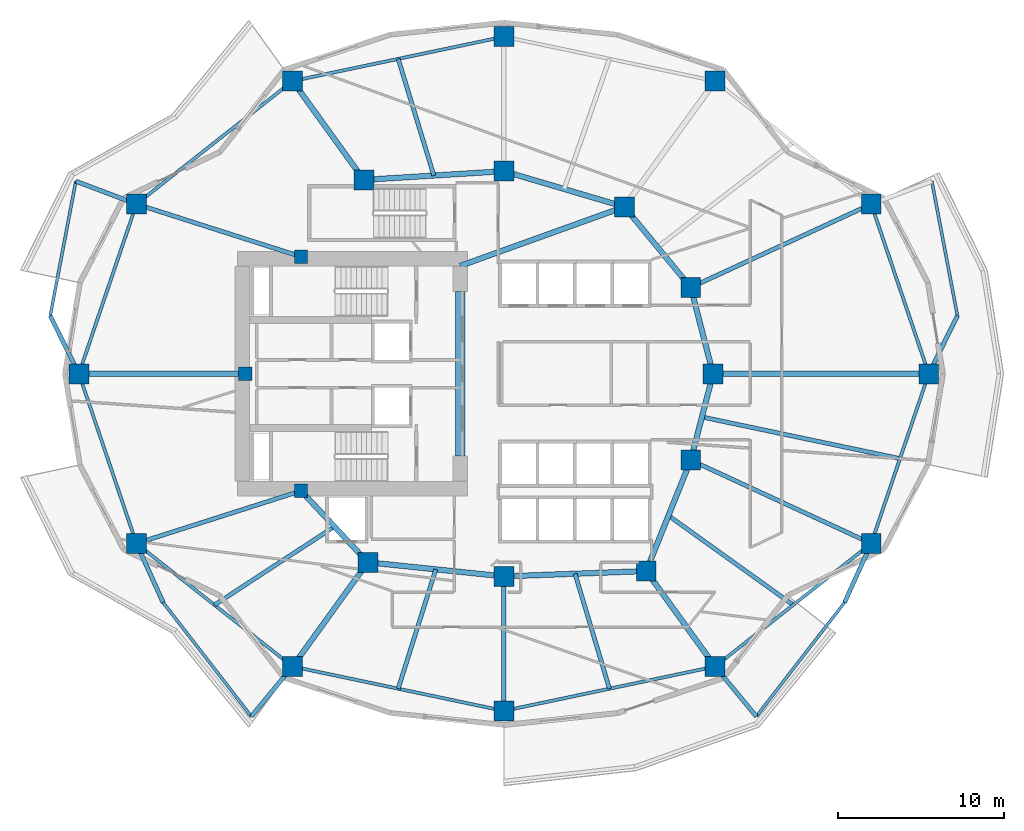
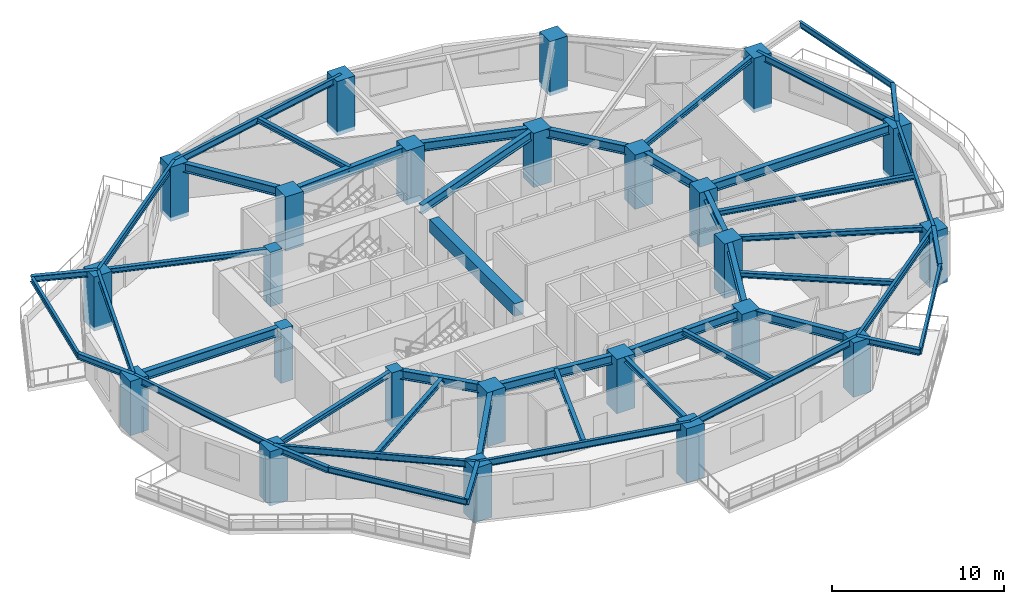
# One storey, part 1 of 11: 48 beams, 24 columns.
"""IFC4 building model written with IfcOpenShell, lengths in metres."""

import ifcopenshell
import ifcopenshell.guid

model = None  # the IFC model being written
_history = None  # IfcOwnerHistory: only IFC2X3 demands one
_inside = {}  # id of a spatial element -> (the spatial element, [elements in it])
_under = {}  # id of a project, library or spatial element -> (it, [spatial elements below it])
_declared = {}  # id of a project -> (the project, [libraries it declares])
_typed = {}  # id of a type object -> (the type object, [elements of that type])
_made_of = {}  # id of a material, layer set ... -> (it, [elements and type objects made of it])


def new_model(schema):
    """Start an empty IFC model of exactly this schema.

    Asked for "IFC4X3", IfcOpenShell would pick the latest addendum, in which some entities
    have other attributes; the version numbers below select the first issue.
    IFC2X3 requires an IfcOwnerHistory on every rooted entity: one is made here for all.
    """
    global model, _history
    if schema == "IFC4X3":
        model = ifcopenshell.file(schema_version=(4, 3, 0, 0))
    else:
        model = ifcopenshell.file(schema=schema)
    _inside.clear()
    _under.clear()
    _declared.clear()
    _typed.clear()
    _made_of.clear()
    _history = None
    if model.schema == "IFC2X3":
        org = make("IfcOrganization", Name="unknown")
        user = make(
            "IfcPersonAndOrganization",
            ThePerson=make("IfcPerson", FamilyName="unknown"),
            TheOrganization=org,
        )
        app = make(
            "IfcApplication",
            ApplicationDeveloper=org,
            Version="unknown",
            ApplicationFullName="unknown",
            ApplicationIdentifier="unknown",
        )
        _history = make(
            "IfcOwnerHistory",
            OwningUser=user,
            OwningApplication=app,
            ChangeAction="ADDED",
            CreationDate=0,
        )
    return model


def make(cls, **values):
    """One entity of the class cls with the attributes given. An attribute that is None is left unset."""
    return model.create_entity(
        cls, **{name: value for name, value in values.items() if value is not None}
    )


def rooted(cls, **values):
    """An entity with a GlobalId (a new one), such as an element, a storey or a relation."""
    return make(cls, GlobalId=ifcopenshell.guid.new(), OwnerHistory=_history, **values)


def si_unit(unit_type, name, prefix=None):
    """IfcSIUnit, for example si_unit("LENGTHUNIT", "METRE", prefix="MILLI")."""
    return make("IfcSIUnit", UnitType=unit_type, Prefix=prefix, Name=name)


def assignment(units):
    """IfcUnitAssignment: the units of a project."""
    return None if units is None else make("IfcUnitAssignment", Units=units)


def point(xyz):
    """IfcCartesianPoint."""
    return None if xyz is None else make("IfcCartesianPoint", Coordinates=xyz)


def direction(xyz):
    """IfcDirection."""
    return None if xyz is None else make("IfcDirection", DirectionRatios=xyz)


def frame(location, z_axis=None, x_axis=None):
    """IfcAxis2Placement3D, a coordinate frame: its origin and axes. An axis left out is left unset."""
    return make(
        "IfcAxis2Placement3D",
        Location=point(location),
        Axis=direction(z_axis),
        RefDirection=direction(x_axis),
    )


def frame_2d(location, x_axis=None):
    """IfcAxis2Placement2D, a coordinate frame in the plane: its origin and x axis."""
    return make(
        "IfcAxis2Placement2D", Location=point(location), RefDirection=direction(x_axis)
    )


def origin():
    """The frame at (0, 0, 0) with its axes left unset."""
    return frame((0.0, 0.0, 0.0))


def origin_2d():
    """The frame at (0, 0) in the plane with its x axis left unset."""
    return frame_2d((0.0, 0.0))


def place(relative_to, where):
    """IfcLocalPlacement: puts the frame where relative to a parent placement (None: the world)."""
    return make(
        "IfcLocalPlacement", PlacementRelTo=relative_to, RelativePlacement=where
    )


def context(
    kind, dimensions, precision=None, world=None, true_north=None, identifier=None
):
    """IfcGeometricRepresentationContext, for example the 3D "Model" context."""
    return make(
        "IfcGeometricRepresentationContext",
        ContextIdentifier=identifier,
        ContextType=kind,
        CoordinateSpaceDimension=dimensions,
        Precision=precision,
        WorldCoordinateSystem=world,
        TrueNorth=true_north,
    )


def subcontext(parent, identifier, kind, view, scale=None):
    """IfcGeometricRepresentationSubContext, for example "Body" below "Model"."""
    return make(
        "IfcGeometricRepresentationSubContext",
        ContextIdentifier=identifier,
        ContextType=kind,
        ParentContext=parent,
        TargetScale=scale,
        TargetView=view,
    )


def project(units=None, contexts=None):
    """IfcProject with its units and contexts."""
    return rooted(
        "IfcProject",
        Name="project",
        RepresentationContexts=contexts,
        UnitsInContext=assignment(units),
    )


def spatial(cls, under=None, at=None, **own):
    """A site, building, storey or space (cls), placed at a placement, below another one or the project."""
    s = rooted(cls, ObjectPlacement=at, **own)
    if under is not None:
        _under.setdefault(under.id(), (under, []))[1].append(s)
    return s


def profile(cls, at=None, kind="AREA", **sizes):
    """A parametric profile (cls). Its sizes go by their IFC names, for example OverallWidth=200.0."""
    return make(cls, ProfileType=kind, Position=at, **sizes)


def rectangle(**sizes):
    """IfcRectangleProfileDef."""
    return profile("IfcRectangleProfileDef", **sizes)


def i_section(**sizes):
    """IfcIShapeProfileDef."""
    return profile("IfcIShapeProfileDef", **sizes)


def extrude(swept, where, along, depth):
    """IfcExtrudedAreaSolid: the profile swept, set in the frame where, extruded along a direction by depth."""
    return make(
        "IfcExtrudedAreaSolid",
        SweptArea=swept,
        Position=where,
        ExtrudedDirection=direction(along),
        Depth=depth,
    )


def shape(context_of_items, identifier, shape_type, items):
    """IfcShapeRepresentation: the items that make up one representation, for example the "Body"."""
    return make(
        "IfcShapeRepresentation",
        ContextOfItems=context_of_items,
        RepresentationIdentifier=identifier,
        RepresentationType=shape_type,
        Items=items,
    )


def material(Name=None, Category=None):
    """IfcMaterial."""
    return make("IfcMaterial", Name=Name, Category=Category)


def material_profile(
    of_material, cross_section, Name=None, Category=None, Priority=None
):
    """IfcMaterialProfile: a cross section and its material."""
    return make(
        "IfcMaterialProfile",
        Name=Name,
        Material=of_material,
        Profile=cross_section,
        Priority=Priority,
        Category=Category,
    )


def profile_set(profiles, Name=None, composite=None):
    """IfcMaterialProfileSet."""
    return make(
        "IfcMaterialProfileSet",
        Name=Name,
        MaterialProfiles=profiles,
        CompositeProfile=composite,
    )


def made_of(thing, what):
    """Note that an element or type object is made of a material, layer set ...; save() writes the relation."""
    if what is not None:
        _made_of.setdefault(what.id(), (what, []))[1].append(thing)
    return thing


def type_object(cls, material=None, **own):
    """A type object (cls), such as IfcWallType, which elements share."""
    return made_of(rooted(cls, **own), material)


def element(
    cls,
    number,
    at=None,
    inside=None,
    cuts=None,
    type_object=None,
    material=None,
    context=None,
    identifier="Body",
    shape_type=None,
    held_by="IfcProductDefinitionShape",
    body=None,
    shapes=None,
    **own,
):
    """One element of the class cls, such as IfcWall. Its Tag is "e" and its number.

    at: its placement. inside: the storey or other place that contains it. cuts: it is an
    opening in that element (IfcRelVoidsElement). A single representation is given by context,
    identifier, shape_type and body (its items); several are given by shapes. held_by: the class
    of the entity that holds the representations. save() writes the other relations.
    """
    e = rooted(cls, Tag="e%d" % number, ObjectPlacement=at, **own)
    if body is not None:
        shapes = [shape(context, identifier, shape_type, body)]
    if shapes is not None:
        e.Representation = make(held_by, Representations=shapes)
    if inside is not None:
        _inside.setdefault(inside.id(), (inside, []))[1].append(e)
    if cuts is not None:
        rooted(
            "IfcRelVoidsElement", RelatingBuildingElement=cuts, RelatedOpeningElement=e
        )
    if type_object is not None:
        _typed.setdefault(type_object.id(), (type_object, []))[1].append(e)
    return made_of(e, material)


def aggregate(whole, parts):
    """IfcRelAggregates: a whole, such as a stair, and the parts it consists of."""
    return rooted("IfcRelAggregates", RelatingObject=whole, RelatedObjects=parts)


def save(model, path):
    """Write the relations noted so far, then the file.

    IfcRelAggregates (storeys below a building ...), IfcRelContainedInSpatialStructure (elements
    in a storey), IfcRelDefinesByType, IfcRelAssociatesMaterial and IfcRelDeclares: one each for
    every whole, place, type object, material and project.
    """
    for whole, parts in _under.values():
        aggregate(whole, parts)
    for where, things in _inside.values():
        rooted(
            "IfcRelContainedInSpatialStructure",
            RelatedElements=things,
            RelatingStructure=where,
        )
    for kind, things in _typed.values():
        rooted("IfcRelDefinesByType", RelatedObjects=things, RelatingType=kind)
    for what, things in _made_of.values():
        rooted("IfcRelAssociatesMaterial", RelatedObjects=things, RelatingMaterial=what)
    for by, libraries in _declared.values():
        rooted("IfcRelDeclares", RelatingContext=by, RelatedDefinitions=libraries)
    model.write(path)


model = new_model("IFC4")

# Units and contexts
model_context = context("Model", 3, precision=1e-05, world=origin(), true_north=direction((0.0, 1.0)))
body_context = subcontext(model_context, "Body", "Model", "MODEL_VIEW")
ifc_project = project(units=[si_unit("LENGTHUNIT", "METRE"), si_unit("AREAUNIT", "SQUARE_METRE"), si_unit("VOLUMEUNIT", "CUBIC_METRE"), si_unit("PLANEANGLEUNIT", "RADIAN"), si_unit("MASSUNIT", "GRAM", prefix="KILO")], contexts=[model_context])

# Site, building, storey
site_placement = place(None, origin())
site = spatial("IfcSite", under=ifc_project, at=site_placement, CompositionType="ELEMENT")
building_placement = place(site_placement, origin())
building = spatial("IfcBuilding", under=site, at=building_placement, Name="Kolvaren Gate Tower and Convention Centre", CompositionType="ELEMENT")
storey_placement = place(building_placement, frame((0.0, 0.0, 80.39990234375)))
storey = spatial("IfcBuildingStorey", under=building, at=storey_placement, Name="L19", CompositionType="ELEMENT", Elevation=80.39990234375)

# Columns
ifc_material_1 = material(Name="Concrete C70/85", Category="concrete")
ifc_material_profile_1 = material_profile(ifc_material_1, rectangle(XDim=1.199951171875, YDim=1.199951171875, at=origin_2d()), Name="RC-COL-1200X1200")
ifc_profile_set_1 = profile_set([ifc_material_profile_1], Name="Concrete C70/85")
column_type_1 = type_object("IfcColumnType", Name="STR-COL-RC1200", PredefinedType="COLUMN", material=ifc_profile_set_1)
for number, where, z_axis, x_axis, name in (
    (1, (55.71240234375, 27.0, -0.27978515625), (0.0, 0.0, 1.0), (1.0, 0.0, 0.0), "Tower L19 Perimeter Supercolumn TP-01"),
    (2, (52.248779296875, 37.218505859375, -0.27978515625), (0.0, 0.0, 1.0), (1.0, 0.0, 0.0), "Tower L19 Perimeter Supercolumn TP-02"),
    (3, (42.846435546875, 44.627197265625, -0.27978515625), (0.0, 0.0, 1.0), (1.0, 0.0, 0.0), "Tower L19 Perimeter Supercolumn TP-03"),
    (4, (30.125, 47.300048828125, -0.27978515625), (0.0, 0.0, 1.0), (1.0, 0.0, 0.0), "Tower L19 Perimeter Supercolumn TP-04"),
    (5, (17.40380859375, 44.627197265625, -0.27978515625), (0.0, 0.0, 1.0), (1.0, 0.0, 0.0), "Tower L19 Perimeter Supercolumn TP-05"),
    (6, (8.001220703125, 37.218505859375, -0.27978515625), (0.0, 0.0, 1.0), (1.0, 0.0, 0.0), "Tower L19 Perimeter Supercolumn TP-06"),
    (7, (4.53759765625, 27.0, -0.27978515625), (0.0, 0.0, 1.0), (1.0, 0.0, 0.0), "Tower L19 Perimeter Supercolumn TP-07"),
    (8, (8.001220703125, 16.781494140625, -0.27978515625), (0.0, 0.0, 1.0), (1.0, 0.0, 0.0), "Tower L19 Perimeter Supercolumn TP-08"),
    (9, (17.403564453125, 9.372802734375, -0.27978515625), (0.0, 0.0, 1.0), (1.0, 0.0, 0.0), "Tower L19 Perimeter Supercolumn TP-09"),
    (10, (30.125, 6.699951171875, -0.27978515625), (0.0, 0.0, 1.0), (1.0, 0.0, 0.0), "Tower L19 Perimeter Supercolumn TP-10"),
    (11, (42.846435546875, 9.372802734375, -0.27978515625), (0.0, 0.0, 1.0), (1.0, 0.0, 0.0), "Tower L19 Perimeter Supercolumn TP-11"),
    (12, (52.248779296875, 16.781494140625, -0.27978515625), (0.0, 0.0, 1.0), (1.0, 0.0, 0.0), "Tower L19 Perimeter Supercolumn TP-12"),
    (13, (42.72509765625, 27.0, -0.27978515625), (0.0, 0.0, 1.0), (1.0, 0.0, 0.0), "Tower L19 Interior Column TI-01"),
    (14, (41.382080078125, 32.199462890625, -0.27978515625), (0.0, 0.0, 1.0), (1.0, 0.0, 0.0), "Tower L19 Interior Column TI-02"),
    (15, (37.381591796875, 37.054931640625, -0.27978515625), (0.0, 0.0, 1.0), (1.0, 0.0, 0.0), "Tower L19 Interior Column TI-03"),
    (16, (30.125, 39.199951171875, -0.27978515625), (0.0, 0.0, 1.0), (1.0, 0.0, 0.0), "Tower L19 Interior Column TI-04"),
    (17, (21.697998046875, 38.6767578125, -0.27978515625), (0.0, 0.0, 1.0), (1.0, 0.0, 0.0), "Tower L19 Interior Column TI-05"),
    (18, (21.93212890625, 15.647705078125, -0.27978515625), (0.0, 0.0, 1.0), (1.0, 0.0, 0.0), "Tower L19 Interior Column TI-06"),
    (19, (30.125, 14.800048828125, -0.27978515625), (0.0, 0.0, 1.0), (1.0, 0.0, 0.0), "Tower L19 Interior Column TI-07"),
    (20, (38.6982421875, 15.12060546875, -0.27978515625), (0.0, 0.0, 1.0), (1.0, 0.0, 0.0), "Tower L19 Interior Column TI-08"),
    (21, (41.382080078125, 21.800537109375, -0.27978515625), (0.0, 0.0, 1.0), (1.0, 0.0, 0.0), "Tower L19 Interior Column TI-09"),
):
    element("IfcColumn", number, at=place(storey_placement, frame(where, z_axis=z_axis, x_axis=x_axis)), inside=storey, type_object=column_type_1, Name=name, PredefinedType="COLUMN", context=body_context, shape_type="SweptSolid", body=[
        extrude(rectangle(XDim=1.199951171875, YDim=1.199951171875, at=origin_2d()), origin(), (0.0, 0.0, 1.0), 3.849853515625),
    ])
ifc_material_2 = material(Name="Concrete C60/75", Category="concrete")
ifc_material_profile_2 = material_profile(ifc_material_2, rectangle(XDim=0.800048828125, YDim=0.800048828125, at=origin_2d()), Name="RC-COL-800X800")
ifc_profile_set_2 = profile_set([ifc_material_profile_2], Name="Concrete C60/75")
column_type_2 = type_object("IfcColumnType", Name="STR-PIL-RC800", PredefinedType="PILASTER", material=ifc_profile_set_2)
for number, where, z_axis, x_axis, name in (
    (22, (17.9140625, 34.050048828125, -0.27978515625), (0.0, 0.0, 1.0), (1.0, 0.0, 0.0), "Tower L19 Core Boundary Pilaster TC-05"),
    (23, (14.550048828125, 27.0, -0.27978515625), (0.0, 0.0, 1.0), (1.0, 0.0, 0.0), "Tower L19 Core Boundary Pilaster TC-06"),
    (24, (17.9140625, 19.949951171875, -0.27978515625), (0.0, 0.0, 1.0), (1.0, 0.0, 0.0), "Tower L19 Core Boundary Pilaster TC-07"),
):
    element("IfcColumn", number, at=place(storey_placement, frame(where, z_axis=z_axis, x_axis=x_axis)), inside=storey, type_object=column_type_2, Name=name, PredefinedType="PILASTER", context=body_context, shape_type="SweptSolid", body=[
        extrude(rectangle(XDim=0.800048828125, YDim=0.800048828125, at=origin_2d()), origin(), (0.0, 0.0, 1.0), 3.849853515625),
    ])

# Beams
ifc_material_3 = material(Name="Structural steel ASTM A992 Grade 345 MPa", Category="steel")
ifc_material_profile_3 = material_profile(ifc_material_3, i_section(OverallWidth=0.260009765625, OverallDepth=0.419921875, WebThickness=0.013427734375, FlangeThickness=0.0224609375, at=origin_2d()), Name="W410X132")
ifc_profile_set_3 = profile_set([ifc_material_profile_3], Name="Structural steel ASTM A992 Grade 345 MPa")
beam_type_1 = type_object("IfcBeamType", Name="STR-BM-W410X132", PredefinedType="BEAM", material=ifc_profile_set_3)
beam_1_placement = place(storey_placement, frame((55.71240234375, 27.0, 3.360595703125), z_axis=(0.442775963142, 0.896632280516, 0.0), x_axis=(-0.896632280516, 0.442775963142, 0.0)))
element("IfcBeam", 25, at=beam_1_placement, inside=storey, type_object=beam_type_1, Name="Tower L20 Planted Balcony Outrigger Cantilever BC-1A", PredefinedType="BEAM", context=body_context, shape_type="SweptSolid", body=[
    extrude(i_section(OverallWidth=0.260009765625, OverallDepth=0.419921875, WebThickness=0.013427734375, FlangeThickness=0.0224609375, at=origin_2d()), origin(), (0.0, 0.0, 1.0), 3.89990234375),
])
beam_2_placement = place(storey_placement, frame((8.001220703125, 37.218505859375, 3.360595703125), z_axis=(-0.935601718951, 0.353057252434, 0.0), x_axis=(-0.353057252434, -0.935601718951, 0.0)))
element("IfcBeam", 26, at=beam_2_placement, inside=storey, type_object=beam_type_1, Name="Tower L20 Planted Balcony Outrigger Cantilever BC-2A", PredefinedType="BEAM", context=body_context, shape_type="SweptSolid", body=[
    extrude(i_section(OverallWidth=0.260009765625, OverallDepth=0.419921875, WebThickness=0.013427734375, FlangeThickness=0.0224609375, at=origin_2d()), origin(), (0.0, 0.0, 1.0), 3.900146484375),
])
beam_3_placement = place(storey_placement, frame((4.53759765625, 27.0, 3.360595703125), z_axis=(-0.442775963142, 0.896632280516, 0.0), x_axis=(-0.896632280516, -0.442775963142, 0.0)))
element("IfcBeam", 27, at=beam_3_placement, inside=storey, type_object=beam_type_1, Name="Tower L20 Planted Balcony Outrigger Cantilever BC-2B", PredefinedType="BEAM", context=body_context, shape_type="SweptSolid", body=[
    extrude(i_section(OverallWidth=0.260009765625, OverallDepth=0.419921875, WebThickness=0.013427734375, FlangeThickness=0.0224609375, at=origin_2d()), origin(), (0.0, 0.0, 1.0), 3.89990234375),
])
beam_4_placement = place(storey_placement, frame((8.001220703125, 16.781494140625, 3.360595703125), z_axis=(0.411967423592, -0.911198574351, 0.0), x_axis=(0.911198574351, 0.411967423592, 0.0)))
element("IfcBeam", 28, at=beam_4_placement, inside=storey, type_object=beam_type_1, Name="Tower L20 Planted Balcony Outrigger Cantilever BC-3A", PredefinedType="BEAM", context=body_context, shape_type="SweptSolid", body=[
    extrude(i_section(OverallWidth=0.260009765625, OverallDepth=0.419921875, WebThickness=0.013427734375, FlangeThickness=0.0224609375, at=origin_2d()), origin(), (0.0, 0.0, 1.0), 3.900146484375),
])
for number, where, z_axis, x_axis, name in (
    (29, (17.403564453125, 9.372802734375, 3.360595703125), (-0.637044832711, -0.770826751687, 0.0), (0.770826751687, -0.637044832711, 0.0), "Tower L20 Planted Balcony Outrigger Cantilever BC-3B"),
    (30, (42.846435546875, 9.372802734375, 3.360595703125), (0.637044832711, -0.770826751687, 0.0), (0.770826751687, 0.637044832711, 0.0), "Tower L20 Planted Balcony Outrigger Cantilever BC-4A"),
):
    element("IfcBeam", number, at=place(storey_placement, frame(where, z_axis=z_axis, x_axis=x_axis)), inside=storey, type_object=beam_type_1, Name=name, PredefinedType="BEAM", context=body_context, shape_type="SweptSolid", body=[
        extrude(i_section(OverallWidth=0.260009765625, OverallDepth=0.419921875, WebThickness=0.013427734375, FlangeThickness=0.0224609375, at=origin_2d()), origin(), (0.0, 0.0, 1.0), 3.89990234375),
    ])
beam_5_placement = place(storey_placement, frame((52.248779296875, 16.781494140625, 3.360595703125), z_axis=(-0.411967423592, -0.911198574351, 0.0), x_axis=(0.911198574351, -0.411967423592, 0.0)))
element("IfcBeam", 31, at=beam_5_placement, inside=storey, type_object=beam_type_1, Name="Tower L20 Planted Balcony Outrigger Cantilever BC-4B", PredefinedType="BEAM", context=body_context, shape_type="SweptSolid", body=[
    extrude(i_section(OverallWidth=0.260009765625, OverallDepth=0.419921875, WebThickness=0.013427734375, FlangeThickness=0.0224609375, at=origin_2d()), origin(), (0.0, 0.0, 1.0), 3.900146484375),
])
ifc_material_profile_4 = material_profile(ifc_material_3, i_section(OverallWidth=0.327880859375, OverallDepth=0.6279296875, WebThickness=0.0166015625, FlangeThickness=0.027587890625, at=origin_2d()), Name="W610X217")
ifc_profile_set_4 = profile_set([ifc_material_profile_4], Name="Structural steel ASTM A992 Grade 345 MPa")
beam_type_2 = type_object("IfcBeamType", Name="STR-BM-W610X217", PredefinedType="BEAM", material=ifc_profile_set_4)
beam_6_placement = place(storey_placement, frame((42.72509765625, 27.0, 3.256103515625), z_axis=(-0.250091133936, -0.968222301296, 0.0), x_axis=(0.968222301296, -0.250091133936, 0.0)))
element("IfcBeam", 32, at=beam_6_placement, inside=storey, type_object=beam_type_2, Name="Tower L19 Primary Ring Girder G-01", PredefinedType="BEAM", context=body_context, shape_type="SweptSolid", body=[
    extrude(i_section(OverallWidth=0.327880859375, OverallDepth=0.6279296875, WebThickness=0.0166015625, FlangeThickness=0.027587890625, at=origin_2d()), origin(), (0.0, 0.0, 1.0), 5.3701171875),
])
beam_7_placement = place(storey_placement, frame((41.382080078125, 32.199462890625, 3.256103515625), z_axis=(-0.635884066011, 0.771784590798, 0.0), x_axis=(-0.771784590798, -0.635884066011, 0.0)))
element("IfcBeam", 33, at=beam_7_placement, inside=storey, type_object=beam_type_2, Name="Tower L19 Primary Ring Girder G-02", PredefinedType="BEAM", context=body_context, shape_type="SweptSolid", body=[
    extrude(i_section(OverallWidth=0.327880859375, OverallDepth=0.6279296875, WebThickness=0.0166015625, FlangeThickness=0.027587890625, at=origin_2d()), origin(), (0.0, 0.0, 1.0), 6.291259765625),
])
beam_8_placement = place(storey_placement, frame((37.381591796875, 37.054931640625, 3.256103515625), z_axis=(-0.958980837827, 0.283470902706, 0.0), x_axis=(-0.283470902706, -0.958980837827, 0.0)))
element("IfcBeam", 34, at=beam_8_placement, inside=storey, type_object=beam_type_2, Name="Tower L19 Primary Ring Girder G-03", PredefinedType="BEAM", context=body_context, shape_type="SweptSolid", body=[
    extrude(i_section(OverallWidth=0.327880859375, OverallDepth=0.6279296875, WebThickness=0.0166015625, FlangeThickness=0.027587890625, at=origin_2d()), origin(), (0.0, 0.0, 1.0), 7.56689453125),
])
beam_9_placement = place(storey_placement, frame((30.125, 39.199951171875, 3.256103515625), z_axis=(-0.998078258568, -0.06196603726, 0.0), x_axis=(0.06196603726, -0.998078258568, 0.0)))
element("IfcBeam", 35, at=beam_9_placement, inside=storey, type_object=beam_type_2, Name="Tower L19 Primary Ring Girder G-04", PredefinedType="BEAM", context=body_context, shape_type="SweptSolid", body=[
    extrude(i_section(OverallWidth=0.327880859375, OverallDepth=0.6279296875, WebThickness=0.0166015625, FlangeThickness=0.027587890625, at=origin_2d()), origin(), (0.0, 0.0, 1.0), 8.443115234375),
])
beam_10_placement = place(storey_placement, frame((17.9140625, 19.949951171875, 3.256103515625), z_axis=(0.682557592987, -0.730831808459, 0.0), x_axis=(0.730831808459, 0.682557592987, 0.0)))
element("IfcBeam", 36, at=beam_10_placement, inside=storey, type_object=beam_type_2, Name="Tower L19 Primary Ring Girder G-06", PredefinedType="BEAM", context=body_context, shape_type="SweptSolid", body=[
    extrude(i_section(OverallWidth=0.327880859375, OverallDepth=0.6279296875, WebThickness=0.0166015625, FlangeThickness=0.027587890625, at=origin_2d()), origin(), (0.0, 0.0, 1.0), 5.88671875),
])
beam_11_placement = place(storey_placement, frame((21.93212890625, 15.647705078125, 3.256103515625), z_axis=(0.994690329115, -0.102913308978, 0.0), x_axis=(0.102913308978, 0.994690329115, 0.0)))
element("IfcBeam", 37, at=beam_11_placement, inside=storey, type_object=beam_type_2, Name="Tower L19 Primary Ring Girder G-07", PredefinedType="BEAM", context=body_context, shape_type="SweptSolid", body=[
    extrude(i_section(OverallWidth=0.327880859375, OverallDepth=0.6279296875, WebThickness=0.0166015625, FlangeThickness=0.027587890625, at=origin_2d()), origin(), (0.0, 0.0, 1.0), 8.236572265625),
])
beam_12_placement = place(storey_placement, frame((30.125, 14.800048828125, 3.256103515625), z_axis=(0.999301712453, 0.037364254142, 0.0), x_axis=(-0.037364254142, 0.999301712453, 0.0)))
element("IfcBeam", 38, at=beam_12_placement, inside=storey, type_object=beam_type_2, Name="Tower L19 Primary Ring Girder G-08", PredefinedType="BEAM", context=body_context, shape_type="SweptSolid", body=[
    extrude(i_section(OverallWidth=0.327880859375, OverallDepth=0.6279296875, WebThickness=0.0166015625, FlangeThickness=0.027587890625, at=origin_2d()), origin(), (0.0, 0.0, 1.0), 8.579345703125),
])
beam_13_placement = place(storey_placement, frame((38.6982421875, 15.12060546875, 3.256103515625), z_axis=(0.372811100169, 0.927907260232, 0.0), x_axis=(-0.927907260232, 0.372811100169, 0.0)))
element("IfcBeam", 39, at=beam_13_placement, inside=storey, type_object=beam_type_2, Name="Tower L19 Primary Ring Girder G-09", PredefinedType="BEAM", context=body_context, shape_type="SweptSolid", body=[
    extrude(i_section(OverallWidth=0.327880859375, OverallDepth=0.6279296875, WebThickness=0.0166015625, FlangeThickness=0.027587890625, at=origin_2d()), origin(), (0.0, 0.0, 1.0), 7.198974609375),
])
beam_14_placement = place(storey_placement, frame((27.5, 33.5, 3.256103515625), z_axis=(0.940961479908, 0.338513653093, 0.0), x_axis=(-0.338513653093, 0.940961479908, 0.0)))
element("IfcBeam", 40, at=beam_14_placement, inside=storey, type_object=beam_type_2, Name="Tower L19 Primary Ring Girder G-10", PredefinedType="BEAM", context=body_context, shape_type="SweptSolid", body=[
    extrude(i_section(OverallWidth=0.327880859375, OverallDepth=0.6279296875, WebThickness=0.0166015625, FlangeThickness=0.027587890625, at=origin_2d()), origin(), (0.0, 0.0, 1.0), 10.501708984375),
])
beam_15_placement = place(storey_placement, frame((42.72509765625, 27.0, 3.256103515625), z_axis=(-0.250091133936, 0.968222301296, 0.0), x_axis=(-0.968222301296, -0.250091133936, 0.0)))
element("IfcBeam", 41, at=beam_15_placement, inside=storey, type_object=beam_type_2, Name="Tower L19 Primary Ring Girder G-12", PredefinedType="BEAM", context=body_context, shape_type="SweptSolid", body=[
    extrude(i_section(OverallWidth=0.327880859375, OverallDepth=0.6279296875, WebThickness=0.0166015625, FlangeThickness=0.027587890625, at=origin_2d()), origin(), (0.0, 0.0, 1.0), 5.3701171875),
])
beam_16_placement = place(storey_placement, frame((42.72509765625, 27.0, 3.256103515625), z_axis=(1.0, 0.0, 0.0), x_axis=(0.0, 1.0, 0.0)))
element("IfcBeam", 42, at=beam_16_placement, inside=storey, type_object=beam_type_2, Name="Tower L19 Radial Floor Girder RB-01", PredefinedType="BEAM", context=body_context, shape_type="SweptSolid", body=[
    extrude(i_section(OverallWidth=0.327880859375, OverallDepth=0.6279296875, WebThickness=0.0166015625, FlangeThickness=0.027587890625, at=origin_2d()), origin(), (0.0, 0.0, 1.0), 12.9873046875),
])
beam_17_placement = place(storey_placement, frame((21.697998046875, 38.6767578125, 3.256103515625), z_axis=(-0.585190474102, 0.810895868173, 0.0), x_axis=(-0.810895868173, -0.585190474102, 0.0)))
element("IfcBeam", 43, at=beam_17_placement, inside=storey, type_object=beam_type_2, Name="Tower L19 Radial Floor Girder RB-05", PredefinedType="BEAM", context=body_context, shape_type="SweptSolid", body=[
    extrude(i_section(OverallWidth=0.327880859375, OverallDepth=0.6279296875, WebThickness=0.0166015625, FlangeThickness=0.027587890625, at=origin_2d()), origin(), (0.0, 0.0, 1.0), 7.338134765625),
])
beam_18_placement = place(storey_placement, frame((14.550048828125, 27.0, 3.256103515625), z_axis=(-1.0, 0.0, 0.0), x_axis=(0.0, -1.0, 0.0)))
element("IfcBeam", 44, at=beam_18_placement, inside=storey, type_object=beam_type_2, Name="Tower L19 Radial Floor Girder RB-07", PredefinedType="BEAM", context=body_context, shape_type="SweptSolid", body=[
    extrude(i_section(OverallWidth=0.327880859375, OverallDepth=0.6279296875, WebThickness=0.0166015625, FlangeThickness=0.027587890625, at=origin_2d()), origin(), (0.0, 0.0, 1.0), 10.012451171875),
])
beam_19_placement = place(storey_placement, frame((21.93212890625, 15.647705078125, 3.256103515625), z_axis=(-0.585209453994, -0.810882170821, 0.0), x_axis=(0.810882170821, -0.585209453994, 0.0)))
element("IfcBeam", 45, at=beam_19_placement, inside=storey, type_object=beam_type_2, Name="Tower L19 Radial Floor Girder RB-09", PredefinedType="BEAM", context=body_context, shape_type="SweptSolid", body=[
    extrude(i_section(OverallWidth=0.327880859375, OverallDepth=0.6279296875, WebThickness=0.0166015625, FlangeThickness=0.027587890625, at=origin_2d()), origin(), (0.0, 0.0, 1.0), 7.73828125),
])
beam_20_placement = place(storey_placement, frame((38.6982421875, 15.12060546875, 3.256103515625), z_axis=(0.585212604054, -0.81087989743, 0.0), x_axis=(0.81087989743, 0.585212604054, 0.0)))
element("IfcBeam", 46, at=beam_20_placement, inside=storey, type_object=beam_type_2, Name="Tower L19 Radial Floor Girder RB-11", PredefinedType="BEAM", context=body_context, shape_type="SweptSolid", body=[
    extrude(i_section(OverallWidth=0.327880859375, OverallDepth=0.6279296875, WebThickness=0.0166015625, FlangeThickness=0.027587890625, at=origin_2d()), origin(), (0.0, 0.0, 1.0), 7.08837890625),
])
ifc_material_profile_5 = material_profile(ifc_material_3, i_section(OverallWidth=0.2548828125, OverallDepth=0.35693359375, WebThickness=0.010498046875, FlangeThickness=0.018310546875, at=origin_2d()), Name="W360X101")
ifc_profile_set_5 = profile_set([ifc_material_profile_5], Name="Structural steel ASTM A992 Grade 345 MPa")
beam_type_3 = type_object("IfcBeamType", Name="STR-JS-W360X101", PredefinedType="JOIST", material=ifc_profile_set_5)
beam_21_placement = place(storey_placement, frame((41.382080078125, 32.199462890625, 3.3916015625), z_axis=(0.907843538102, 0.419309086864, 0.0), x_axis=(-0.419309086864, 0.907843538102, 0.0)))
element("IfcBeam", 47, at=beam_21_placement, inside=storey, type_object=beam_type_3, Name="Tower L19 Radial Floor Girder RB-02", PredefinedType="JOIST", context=body_context, shape_type="SweptSolid", body=[
    extrude(i_section(OverallWidth=0.2548828125, OverallDepth=0.35693359375, WebThickness=0.010498046875, FlangeThickness=0.018310546875, at=origin_2d()), origin(), (0.0, 0.0, 1.0), 11.9697265625),
])
for number, where, z_axis, x_axis, name in (
    (48, (17.9140625, 34.050048828125, 3.3916015625), (-0.952525967456, 0.304457355507, 0.0), (-0.304457355507, -0.952525967456, 0.0), "Tower L19 Radial Floor Girder RB-06"),
    (49, (17.9140625, 19.949951171875, 3.3916015625), (-0.952525967456, -0.304457355507, 0.0), (0.304457355507, -0.952525967456, 0.0), "Tower L19 Radial Floor Girder RB-08"),
):
    element("IfcBeam", number, at=place(storey_placement, frame(where, z_axis=z_axis, x_axis=x_axis)), inside=storey, type_object=beam_type_3, Name=name, PredefinedType="JOIST", context=body_context, shape_type="SweptSolid", body=[
        extrude(i_section(OverallWidth=0.2548828125, OverallDepth=0.35693359375, WebThickness=0.010498046875, FlangeThickness=0.018310546875, at=origin_2d()), origin(), (0.0, 0.0, 1.0), 10.406982421875),
    ])
beam_22_placement = place(storey_placement, frame((30.125, 14.800048828125, 3.3916015625), z_axis=(0.0, -1.0, 0.0), x_axis=(1.0, 0.0, 0.0)))
element("IfcBeam", 50, at=beam_22_placement, inside=storey, type_object=beam_type_3, Name="Tower L19 Radial Floor Girder RB-10", PredefinedType="JOIST", context=body_context, shape_type="SweptSolid", body=[
    extrude(i_section(OverallWidth=0.2548828125, OverallDepth=0.35693359375, WebThickness=0.010498046875, FlangeThickness=0.018310546875, at=origin_2d()), origin(), (0.0, 0.0, 1.0), 8.10009765625),
])
beam_23_placement = place(storey_placement, frame((41.382080078125, 21.800537109375, 3.3916015625), z_axis=(0.907843538102, -0.419309086864, 0.0), x_axis=(0.419309086864, 0.907843538102, 0.0)))
element("IfcBeam", 51, at=beam_23_placement, inside=storey, type_object=beam_type_3, Name="Tower L19 Radial Floor Girder RB-12", PredefinedType="JOIST", context=body_context, shape_type="SweptSolid", body=[
    extrude(i_section(OverallWidth=0.2548828125, OverallDepth=0.35693359375, WebThickness=0.010498046875, FlangeThickness=0.018310546875, at=origin_2d()), origin(), (0.0, 0.0, 1.0), 11.9697265625),
])
beam_24_placement = place(storey_placement, frame((25.91162109375, 38.938232421875, 3.3916015625), z_axis=(-0.292298748053, 0.956327058012, 0.0), x_axis=(-0.956327058012, -0.292298748053, 0.0)))
element("IfcBeam", 52, at=beam_24_placement, inside=storey, type_object=beam_type_3, Name="Tower L19 Secondary Composite Floor Joist J-04.1", PredefinedType="JOIST", context=body_context, shape_type="SweptSolid", body=[
    extrude(i_section(OverallWidth=0.2548828125, OverallDepth=0.35693359375, WebThickness=0.010498046875, FlangeThickness=0.018310546875, at=origin_2d()), origin(), (0.0, 0.0, 1.0), 7.345947265625),
])
beam_25_placement = place(storey_placement, frame((19.923095703125, 17.798828125, 3.3916015625), z_axis=(-0.836945684387, -0.547285959428, 0.0), x_axis=(0.547285959428, -0.836945684387, 0.0)))
element("IfcBeam", 53, at=beam_25_placement, inside=storey, type_object=beam_type_3, Name="Tower L19 Secondary Composite Floor Joist J-08.1", PredefinedType="JOIST", context=body_context, shape_type="SweptSolid", body=[
    extrude(i_section(OverallWidth=0.2548828125, OverallDepth=0.35693359375, WebThickness=0.010498046875, FlangeThickness=0.018310546875, at=origin_2d()), origin(), (0.0, 0.0, 1.0), 8.62744140625),
])
beam_26_placement = place(storey_placement, frame((26.028564453125, 15.223876953125, 3.3916015625), z_axis=(-0.300467647472, -0.953792007108, 0.0), x_axis=(0.953792007108, -0.300467647472, 0.0)))
element("IfcBeam", 54, at=beam_26_placement, inside=storey, type_object=beam_type_3, Name="Tower L19 Secondary Composite Floor Joist J-09.1", PredefinedType="JOIST", context=body_context, shape_type="SweptSolid", body=[
    extrude(i_section(OverallWidth=0.2548828125, OverallDepth=0.35693359375, WebThickness=0.010498046875, FlangeThickness=0.018310546875, at=origin_2d()), origin(), (0.0, 0.0, 1.0), 7.535400390625),
])
beam_27_placement = place(storey_placement, frame((34.41162109375, 14.960205078125, 3.3916015625), z_axis=(0.286954287166, -0.957944276603, 0.0), x_axis=(0.957944276603, 0.286954287166, 0.0)))
element("IfcBeam", 55, at=beam_27_placement, inside=storey, type_object=beam_type_3, Name="Tower L19 Secondary Composite Floor Joist J-10.1", PredefinedType="JOIST", context=body_context, shape_type="SweptSolid", body=[
    extrude(i_section(OverallWidth=0.2548828125, OverallDepth=0.35693359375, WebThickness=0.010498046875, FlangeThickness=0.018310546875, at=origin_2d()), origin(), (0.0, 0.0, 1.0), 7.2275390625),
])
beam_28_placement = place(storey_placement, frame((40.040283203125, 18.46044921875, 3.3916015625), z_axis=(0.812660683761, -0.582737173234, 0.0), x_axis=(0.582737173234, 0.812660683761, 0.0)))
element("IfcBeam", 56, at=beam_28_placement, inside=storey, type_object=beam_type_3, Name="Tower L19 Secondary Composite Floor Joist J-11.1", PredefinedType="JOIST", context=body_context, shape_type="SweptSolid", body=[
    extrude(i_section(OverallWidth=0.2548828125, OverallDepth=0.35693359375, WebThickness=0.010498046875, FlangeThickness=0.018310546875, at=origin_2d()), origin(), (0.0, 0.0, 1.0), 9.238037109375),
])
beam_29_placement = place(storey_placement, frame((42.0537109375, 24.400146484375, 3.3916015625), z_axis=(0.978573369431, -0.205898423114, 0.0), x_axis=(0.205898423114, 0.978573369431, 0.0)))
element("IfcBeam", 57, at=beam_29_placement, inside=storey, type_object=beam_type_3, Name="Tower L19 Secondary Composite Floor Joist J-12.1", PredefinedType="JOIST", context=body_context, shape_type="SweptSolid", body=[
    extrude(i_section(OverallWidth=0.2548828125, OverallDepth=0.35693359375, WebThickness=0.010498046875, FlangeThickness=0.018310546875, at=origin_2d()), origin(), (0.0, 0.0, 1.0), 12.188232421875),
])
ifc_material_profile_6 = material_profile(ifc_material_2, rectangle(XDim=0.60009765625, YDim=0.89990234375, at=origin_2d()), Name="RC-BM-600X900")
ifc_profile_set_6 = profile_set([ifc_material_profile_6], Name="Concrete C60/75")
beam_type_4 = type_object("IfcBeamType", Name="STR-LN-RC600X900", PredefinedType="LINTEL", material=ifc_profile_set_6)
beam_30_placement = place(storey_placement, frame((27.5, 22.050048828125, 3.1201171875), z_axis=(0.0, 1.0, 0.0), x_axis=(-1.0, 0.0, 0.0)))
element("IfcBeam", 58, at=beam_30_placement, inside=storey, type_object=beam_type_4, Name="Tower L19 Core Ductile Coupling Beam CB-01", PredefinedType="LINTEL", context=body_context, shape_type="SweptSolid", body=[
    extrude(rectangle(XDim=0.60009765625, YDim=0.89990234375, at=origin_2d()), origin(), (0.0, 0.0, 1.0), 9.89990234375),
])
ifc_material_profile_7 = material_profile(ifc_material_3, i_section(OverallWidth=0.180908203125, OverallDepth=0.4169921875, WebThickness=0.010986328125, FlangeThickness=0.018310546875, at=origin_2d()), Name="W410X85")
ifc_profile_set_7 = profile_set([ifc_material_profile_7], Name="Structural steel ASTM A992 Grade 345 MPa")
beam_type_5 = type_object("IfcBeamType", Name="STR-SP-W410X85", PredefinedType="SPANDREL", material=ifc_profile_set_7)
for number, where, z_axis, x_axis, name in (
    (59, (57.439208984375, 30.496826171875, 3.362060546875), (-0.186984188423, 0.982362923404, 0.0), (-0.982362923404, -0.186984188423, 0.0), "Tower L20 Planted Balcony Header Tie Beam BT-1"),
    (60, (4.352294921875, 38.595458984375, 3.362060546875), (-0.186984188423, -0.982362923404, 0.0), (0.982362923404, -0.186984188423, 0.0), "Tower L20 Planted Balcony Header Tie Beam BT-2"),
):
    element("IfcBeam", number, at=place(storey_placement, frame(where, z_axis=z_axis, x_axis=x_axis)), inside=storey, type_object=beam_type_5, Name=name, PredefinedType="SPANDREL", context=body_context, shape_type="SweptSolid", body=[
        extrude(i_section(OverallWidth=0.180908203125, OverallDepth=0.4169921875, WebThickness=0.010986328125, FlangeThickness=0.018310546875, at=origin_2d()), origin(), (0.0, 0.0, 1.0), 8.244140625),
    ])
for number, where, z_axis, x_axis, name in (
    (61, (9.60791015625, 13.227783203125, 3.362060546875), (0.61213516889, -0.790753144166, 0.0), (0.790753144166, 0.61213516889, 0.0), "Tower L20 Planted Balcony Header Tie Beam BT-3"),
    (62, (45.330810546875, 6.36669921875, 3.362060546875), (0.61213516889, 0.790753144166, 0.0), (-0.790753144166, 0.61213516889, 0.0), "Tower L20 Planted Balcony Header Tie Beam BT-4"),
):
    element("IfcBeam", number, at=place(storey_placement, frame(where, z_axis=z_axis, x_axis=x_axis)), inside=storey, type_object=beam_type_5, Name=name, PredefinedType="SPANDREL", context=body_context, shape_type="SweptSolid", body=[
        extrude(i_section(OverallWidth=0.180908203125, OverallDepth=0.4169921875, WebThickness=0.010986328125, FlangeThickness=0.018310546875, at=origin_2d()), origin(), (0.0, 0.0, 1.0), 8.6767578125),
    ])
ifc_material_profile_8 = material_profile(ifc_material_3, i_section(OverallWidth=0.194091796875, OverallDepth=0.468994140625, WebThickness=0.0126953125, FlangeThickness=0.0205078125, at=origin_2d()), Name="W460X106")
ifc_profile_set_8 = profile_set([ifc_material_profile_8], Name="Structural steel ASTM A992 Grade 345 MPa")
beam_type_6 = type_object("IfcBeamType", Name="STR-SP-W460X106", PredefinedType="SPANDREL", material=ifc_profile_set_8)
beam_31_placement = place(storey_placement, frame((55.71240234375, 27.0, 3.335693359375), z_axis=(-0.321016233787, 0.947073691771, 0.0), x_axis=(-0.947073691771, -0.321016233787, 0.0)))
element("IfcBeam", 63, at=beam_31_placement, inside=storey, type_object=beam_type_6, Name="Tower L19 Perimeter Spandrel Beam SP-01", PredefinedType="SPANDREL", context=body_context, shape_type="SweptSolid", body=[
    extrude(i_section(OverallWidth=0.194091796875, OverallDepth=0.468994140625, WebThickness=0.0126953125, FlangeThickness=0.0205078125, at=origin_2d()), origin(), (0.0, 0.0, 1.0), 10.78955078125),
])
beam_32_placement = place(storey_placement, frame((30.125, 47.300048828125, 3.335693359375), z_axis=(-0.97863180809, -0.205620485836, 0.0), x_axis=(0.205620485836, -0.97863180809, 0.0)))
element("IfcBeam", 64, at=beam_32_placement, inside=storey, type_object=beam_type_6, Name="Tower L19 Perimeter Spandrel Beam SP-04", PredefinedType="SPANDREL", context=body_context, shape_type="SweptSolid", body=[
    extrude(i_section(OverallWidth=0.194091796875, OverallDepth=0.468994140625, WebThickness=0.0126953125, FlangeThickness=0.0205078125, at=origin_2d()), origin(), (0.0, 0.0, 1.0), 12.9990234375),
])
beam_33_placement = place(storey_placement, frame((17.40380859375, 44.627197265625, 3.335693359375), z_axis=(-0.785467636887, -0.618902731778, 0.0), x_axis=(0.618902731778, -0.785467636887, 0.0)))
element("IfcBeam", 65, at=beam_33_placement, inside=storey, type_object=beam_type_6, Name="Tower L19 Perimeter Spandrel Beam SP-05", PredefinedType="SPANDREL", context=body_context, shape_type="SweptSolid", body=[
    extrude(i_section(OverallWidth=0.194091796875, OverallDepth=0.468994140625, WebThickness=0.0126953125, FlangeThickness=0.0205078125, at=origin_2d()), origin(), (0.0, 0.0, 1.0), 11.970703125),
])
for number, where, z_axis, x_axis, name in (
    (66, (8.001220703125, 37.218505859375, 3.335693359375), (-0.321016233787, -0.947073691771, 0.0), (0.947073691771, -0.321016233787, 0.0), "Tower L19 Perimeter Spandrel Beam SP-06"),
    (67, (4.53759765625, 27.0, 3.335693359375), (0.321016233787, -0.947073691771, 0.0), (0.947073691771, 0.321016233787, 0.0), "Tower L19 Perimeter Spandrel Beam SP-07"),
):
    element("IfcBeam", number, at=place(storey_placement, frame(where, z_axis=z_axis, x_axis=x_axis)), inside=storey, type_object=beam_type_6, Name=name, PredefinedType="SPANDREL", context=body_context, shape_type="SweptSolid", body=[
        extrude(i_section(OverallWidth=0.194091796875, OverallDepth=0.468994140625, WebThickness=0.0126953125, FlangeThickness=0.0205078125, at=origin_2d()), origin(), (0.0, 0.0, 1.0), 10.78955078125),
    ])
beam_34_placement = place(storey_placement, frame((8.001220703125, 16.781494140625, 3.335693359375), z_axis=(0.785459824636, -0.618912646407, 0.0), x_axis=(0.618912646407, 0.785459824636, 0.0)))
element("IfcBeam", 68, at=beam_34_placement, inside=storey, type_object=beam_type_6, Name="Tower L19 Perimeter Spandrel Beam SP-08", PredefinedType="SPANDREL", context=body_context, shape_type="SweptSolid", body=[
    extrude(i_section(OverallWidth=0.194091796875, OverallDepth=0.468994140625, WebThickness=0.0126953125, FlangeThickness=0.0205078125, at=origin_2d()), origin(), (0.0, 0.0, 1.0), 11.970458984375),
])
for number, where, z_axis, x_axis, name in (
    (69, (17.403564453125, 9.372802734375, 3.335693359375), (0.978632602148, -0.205616706552, 0.0), (0.205616706552, 0.978632602148, 0.0), "Tower L19 Perimeter Spandrel Beam SP-09"),
    (70, (30.125, 6.699951171875, 3.335693359375), (0.978632602148, 0.205616706552, 0.0), (-0.205616706552, 0.978632602148, 0.0), "Tower L19 Perimeter Spandrel Beam SP-10"),
):
    element("IfcBeam", number, at=place(storey_placement, frame(where, z_axis=z_axis, x_axis=x_axis)), inside=storey, type_object=beam_type_6, Name=name, PredefinedType="SPANDREL", context=body_context, shape_type="SweptSolid", body=[
        extrude(i_section(OverallWidth=0.194091796875, OverallDepth=0.468994140625, WebThickness=0.0126953125, FlangeThickness=0.0205078125, at=origin_2d()), origin(), (0.0, 0.0, 1.0), 12.999267578125),
    ])
beam_35_placement = place(storey_placement, frame((42.846435546875, 9.372802734375, 3.335693359375), z_axis=(0.785459824636, 0.618912646407, 0.0), x_axis=(-0.618912646407, 0.785459824636, 0.0)))
element("IfcBeam", 71, at=beam_35_placement, inside=storey, type_object=beam_type_6, Name="Tower L19 Perimeter Spandrel Beam SP-11", PredefinedType="SPANDREL", context=body_context, shape_type="SweptSolid", body=[
    extrude(i_section(OverallWidth=0.194091796875, OverallDepth=0.468994140625, WebThickness=0.0126953125, FlangeThickness=0.0205078125, at=origin_2d()), origin(), (0.0, 0.0, 1.0), 11.970458984375),
])
beam_36_placement = place(storey_placement, frame((52.248779296875, 16.781494140625, 3.335693359375), z_axis=(0.321016233787, 0.947073691771, 0.0), x_axis=(-0.947073691771, 0.321016233787, 0.0)))
element("IfcBeam", 72, at=beam_36_placement, inside=storey, type_object=beam_type_6, Name="Tower L19 Perimeter Spandrel Beam SP-12", PredefinedType="SPANDREL", context=body_context, shape_type="SweptSolid", body=[
    extrude(i_section(OverallWidth=0.194091796875, OverallDepth=0.468994140625, WebThickness=0.0126953125, FlangeThickness=0.0205078125, at=origin_2d()), origin(), (0.0, 0.0, 1.0), 10.78955078125),
])

save(model, "model.ifc")
